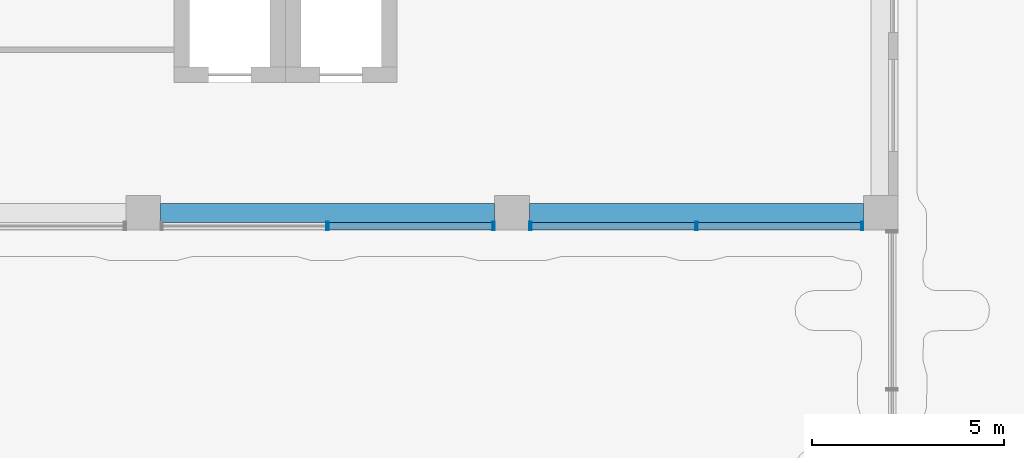
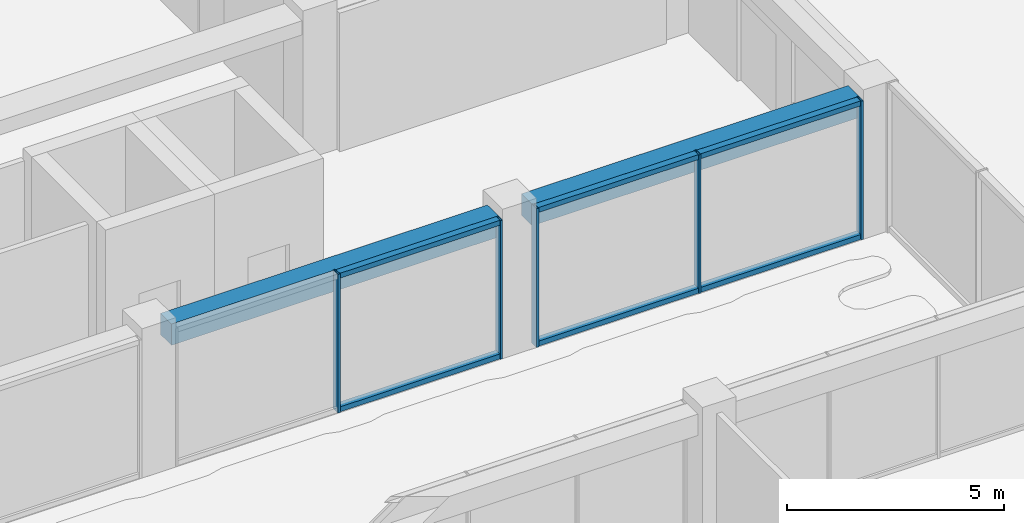
# One storey, part 18 of 72: 11 members, 2 beams, 2 elements without a shape of their own.
"""IFC4 building model written with IfcOpenShell, lengths in metres."""

import ifcopenshell
import ifcopenshell.guid

model = None  # the IFC model being written
_history = None  # IfcOwnerHistory: only IFC2X3 demands one
_inside = {}  # id of a spatial element -> (the spatial element, [elements in it])
_under = {}  # id of a project, library or spatial element -> (it, [spatial elements below it])
_declared = {}  # id of a project -> (the project, [libraries it declares])
_typed = {}  # id of a type object -> (the type object, [elements of that type])
_made_of = {}  # id of a material, layer set ... -> (it, [elements and type objects made of it])


def new_model(schema):
    """Start an empty IFC model of exactly this schema.

    Asked for "IFC4X3", IfcOpenShell would pick the latest addendum, in which some entities
    have other attributes; the version numbers below select the first issue.
    IFC2X3 requires an IfcOwnerHistory on every rooted entity: one is made here for all.
    """
    global model, _history
    if schema == "IFC4X3":
        model = ifcopenshell.file(schema_version=(4, 3, 0, 0))
    else:
        model = ifcopenshell.file(schema=schema)
    _inside.clear()
    _under.clear()
    _declared.clear()
    _typed.clear()
    _made_of.clear()
    _history = None
    if model.schema == "IFC2X3":
        org = make("IfcOrganization", Name="unknown")
        user = make(
            "IfcPersonAndOrganization",
            ThePerson=make("IfcPerson", FamilyName="unknown"),
            TheOrganization=org,
        )
        app = make(
            "IfcApplication",
            ApplicationDeveloper=org,
            Version="unknown",
            ApplicationFullName="unknown",
            ApplicationIdentifier="unknown",
        )
        _history = make(
            "IfcOwnerHistory",
            OwningUser=user,
            OwningApplication=app,
            ChangeAction="ADDED",
            CreationDate=0,
        )
    return model


def make(cls, **values):
    """One entity of the class cls with the attributes given. An attribute that is None is left unset."""
    return model.create_entity(
        cls, **{name: value for name, value in values.items() if value is not None}
    )


def rooted(cls, **values):
    """An entity with a GlobalId (a new one), such as an element, a storey or a relation."""
    return make(cls, GlobalId=ifcopenshell.guid.new(), OwnerHistory=_history, **values)


def si_unit(unit_type, name, prefix=None):
    """IfcSIUnit, for example si_unit("LENGTHUNIT", "METRE", prefix="MILLI")."""
    return make("IfcSIUnit", UnitType=unit_type, Prefix=prefix, Name=name)


def assignment(units):
    """IfcUnitAssignment: the units of a project."""
    return None if units is None else make("IfcUnitAssignment", Units=units)


def point(xyz):
    """IfcCartesianPoint."""
    return None if xyz is None else make("IfcCartesianPoint", Coordinates=xyz)


def direction(xyz):
    """IfcDirection."""
    return None if xyz is None else make("IfcDirection", DirectionRatios=xyz)


def frame(location, z_axis=None, x_axis=None):
    """IfcAxis2Placement3D, a coordinate frame: its origin and axes. An axis left out is left unset."""
    return make(
        "IfcAxis2Placement3D",
        Location=point(location),
        Axis=direction(z_axis),
        RefDirection=direction(x_axis),
    )


def frame_2d(location, x_axis=None):
    """IfcAxis2Placement2D, a coordinate frame in the plane: its origin and x axis."""
    return make(
        "IfcAxis2Placement2D", Location=point(location), RefDirection=direction(x_axis)
    )


def origin():
    """The frame at (0, 0, 0) with its axes left unset."""
    return frame((0.0, 0.0, 0.0))


def origin_2d():
    """The frame at (0, 0) in the plane with its x axis left unset."""
    return frame_2d((0.0, 0.0))


def place(relative_to, where):
    """IfcLocalPlacement: puts the frame where relative to a parent placement (None: the world)."""
    return make(
        "IfcLocalPlacement", PlacementRelTo=relative_to, RelativePlacement=where
    )


def context(
    kind, dimensions, precision=None, world=None, true_north=None, identifier=None
):
    """IfcGeometricRepresentationContext, for example the 3D "Model" context."""
    return make(
        "IfcGeometricRepresentationContext",
        ContextIdentifier=identifier,
        ContextType=kind,
        CoordinateSpaceDimension=dimensions,
        Precision=precision,
        WorldCoordinateSystem=world,
        TrueNorth=true_north,
    )


def subcontext(parent, identifier, kind, view, scale=None):
    """IfcGeometricRepresentationSubContext, for example "Body" below "Model"."""
    return make(
        "IfcGeometricRepresentationSubContext",
        ContextIdentifier=identifier,
        ContextType=kind,
        ParentContext=parent,
        TargetScale=scale,
        TargetView=view,
    )


def project(units=None, contexts=None):
    """IfcProject with its units and contexts."""
    return rooted(
        "IfcProject",
        Name="project",
        RepresentationContexts=contexts,
        UnitsInContext=assignment(units),
    )


def spatial(cls, under=None, at=None, **own):
    """A site, building, storey or space (cls), placed at a placement, below another one or the project."""
    s = rooted(cls, ObjectPlacement=at, **own)
    if under is not None:
        _under.setdefault(under.id(), (under, []))[1].append(s)
    return s


def profile(cls, at=None, kind="AREA", **sizes):
    """A parametric profile (cls). Its sizes go by their IFC names, for example OverallWidth=200.0."""
    return make(cls, ProfileType=kind, Position=at, **sizes)


def rectangle(**sizes):
    """IfcRectangleProfileDef."""
    return profile("IfcRectangleProfileDef", **sizes)


def hollow_rectangle(**sizes):
    """IfcRectangleHollowProfileDef."""
    return profile("IfcRectangleHollowProfileDef", **sizes)


def extrude(swept, where, along, depth):
    """IfcExtrudedAreaSolid: the profile swept, set in the frame where, extruded along a direction by depth."""
    return make(
        "IfcExtrudedAreaSolid",
        SweptArea=swept,
        Position=where,
        ExtrudedDirection=direction(along),
        Depth=depth,
    )


def shape(context_of_items, identifier, shape_type, items):
    """IfcShapeRepresentation: the items that make up one representation, for example the "Body"."""
    return make(
        "IfcShapeRepresentation",
        ContextOfItems=context_of_items,
        RepresentationIdentifier=identifier,
        RepresentationType=shape_type,
        Items=items,
    )


def material(Name=None, Category=None):
    """IfcMaterial."""
    return make("IfcMaterial", Name=Name, Category=Category)


def layer(
    of_material, thickness, ventilated=None, Name=None, Category=None, Priority=None
):
    """IfcMaterialLayer: one layer of a wall or slab, of a material (None: an air gap)."""
    return make(
        "IfcMaterialLayer",
        Material=of_material,
        LayerThickness=thickness,
        IsVentilated=ventilated,
        Name=Name,
        Category=Category,
        Priority=Priority,
    )


def layer_set(layers, Name=None):
    """IfcMaterialLayerSet."""
    return make("IfcMaterialLayerSet", MaterialLayers=layers, LayerSetName=Name)


def material_profile(
    of_material, cross_section, Name=None, Category=None, Priority=None
):
    """IfcMaterialProfile: a cross section and its material."""
    return make(
        "IfcMaterialProfile",
        Name=Name,
        Material=of_material,
        Profile=cross_section,
        Priority=Priority,
        Category=Category,
    )


def profile_set(profiles, Name=None, composite=None):
    """IfcMaterialProfileSet."""
    return make(
        "IfcMaterialProfileSet",
        Name=Name,
        MaterialProfiles=profiles,
        CompositeProfile=composite,
    )


def made_of(thing, what):
    """Note that an element or type object is made of a material, layer set ...; save() writes the relation."""
    if what is not None:
        _made_of.setdefault(what.id(), (what, []))[1].append(thing)
    return thing


def type_object(cls, material=None, **own):
    """A type object (cls), such as IfcWallType, which elements share."""
    return made_of(rooted(cls, **own), material)


def element(
    cls,
    number,
    at=None,
    inside=None,
    cuts=None,
    type_object=None,
    material=None,
    context=None,
    identifier="Body",
    shape_type=None,
    held_by="IfcProductDefinitionShape",
    body=None,
    shapes=None,
    **own,
):
    """One element of the class cls, such as IfcWall. Its Tag is "e" and its number.

    at: its placement. inside: the storey or other place that contains it. cuts: it is an
    opening in that element (IfcRelVoidsElement). A single representation is given by context,
    identifier, shape_type and body (its items); several are given by shapes. held_by: the class
    of the entity that holds the representations. save() writes the other relations.
    """
    e = rooted(cls, Tag="e%d" % number, ObjectPlacement=at, **own)
    if body is not None:
        shapes = [shape(context, identifier, shape_type, body)]
    if shapes is not None:
        e.Representation = make(held_by, Representations=shapes)
    if inside is not None:
        _inside.setdefault(inside.id(), (inside, []))[1].append(e)
    if cuts is not None:
        rooted(
            "IfcRelVoidsElement", RelatingBuildingElement=cuts, RelatedOpeningElement=e
        )
    if type_object is not None:
        _typed.setdefault(type_object.id(), (type_object, []))[1].append(e)
    return made_of(e, material)


def aggregate(whole, parts):
    """IfcRelAggregates: a whole, such as a stair, and the parts it consists of."""
    return rooted("IfcRelAggregates", RelatingObject=whole, RelatedObjects=parts)


def save(model, path):
    """Write the relations noted so far, then the file.

    IfcRelAggregates (storeys below a building ...), IfcRelContainedInSpatialStructure (elements
    in a storey), IfcRelDefinesByType, IfcRelAssociatesMaterial and IfcRelDeclares: one each for
    every whole, place, type object, material and project.
    """
    for whole, parts in _under.values():
        aggregate(whole, parts)
    for where, things in _inside.values():
        rooted(
            "IfcRelContainedInSpatialStructure",
            RelatedElements=things,
            RelatingStructure=where,
        )
    for kind, things in _typed.values():
        rooted("IfcRelDefinesByType", RelatedObjects=things, RelatingType=kind)
    for what, things in _made_of.values():
        rooted("IfcRelAssociatesMaterial", RelatedObjects=things, RelatingMaterial=what)
    for by, libraries in _declared.values():
        rooted("IfcRelDeclares", RelatingContext=by, RelatedDefinitions=libraries)
    model.write(path)


model = new_model("IFC4")

# Units and contexts
model_context = context("Model", 3, precision=1e-05, world=origin(), true_north=direction((0.0, 1.0)))
body_context = subcontext(model_context, "Body", "Model", "MODEL_VIEW")
ifc_project = project(units=[si_unit("LENGTHUNIT", "METRE"), si_unit("AREAUNIT", "SQUARE_METRE"), si_unit("VOLUMEUNIT", "CUBIC_METRE"), si_unit("PLANEANGLEUNIT", "RADIAN"), si_unit("MASSUNIT", "GRAM", prefix="KILO")], contexts=[model_context])

# Site, building, storey
site_placement = place(None, origin())
site = spatial("IfcSite", under=ifc_project, at=site_placement, CompositionType="ELEMENT")
building_placement = place(site_placement, origin())
building = spatial("IfcBuilding", under=site, at=building_placement, Name="Nzadi Deep Aquarium and Research Tower", CompositionType="ELEMENT")
storey_placement = place(building_placement, frame((0.0, 0.0, 31.89990234375)))
storey = spatial("IfcBuildingStorey", under=building, at=storey_placement, Name="L05", CompositionType="ELEMENT", Elevation=31.89990234375)

# Curtain wall, members
ifc_material_1 = material(Name="Aluminium unitised frame deep", Category="aluminium")
ifc_layer = layer(ifc_material_1, 0.22509765625)
ifc_layer_set = layer_set([ifc_layer], Name="Aluminium unitised frame deep")
curtain_wall_type = type_object("IfcCurtainWallType", Name="Curtain wall Unitised Deep 225", PredefinedType="NOTDEFINED", material=ifc_layer_set)
curtain_wall_1_placement = place(storey_placement, origin())
curtain_wall_1 = element("IfcCurtainWall", 1, at=curtain_wall_1_placement, inside=storey, type_object=curtain_wall_type, Name="Unitised curtain wall blade B south L05", PredefinedType="NOTDEFINED")
ifc_material_2 = material(Name="Aluminium unitised frame deep", Category="aluminium")
ifc_material_profile_1 = material_profile(ifc_material_2, hollow_rectangle(XDim=0.22509765625, YDim=0.06005859375, WallThickness=0.0048828125, at=origin_2d()))
ifc_profile_set_1 = profile_set([ifc_material_profile_1], Name="Aluminium unitised frame deep")
member_type_1 = type_object("IfcMemberType", Name="Mullion 60x225 Unitised Deep", PredefinedType="MULLION", material=ifc_profile_set_1)
member_1_placement = place(storey_placement, frame((33.60009765625, 27.262451171875, 0.0), z_axis=(0.0, 0.0, 1.0), x_axis=(0.0, 1.0, 0.0)))
member_1 = element("IfcMember", 2, at=member_1_placement, type_object=member_type_1, Name="CW081 mullion 2", PredefinedType="MULLION", context=body_context, shape_type="SweptSolid", body=[
    extrude(hollow_rectangle(XDim=0.22509765625, YDim=0.06005859375, WallThickness=0.0048828125, at=origin_2d()), origin(), (0.0, 0.0, 1.0), 3.900146484375),
])
member_2_placement = place(storey_placement, frame((37.919921875, 27.262451171875, 0.0), z_axis=(0.0, 0.0, 1.0), x_axis=(0.0, 1.0, 0.0)))
member_2 = element("IfcMember", 3, at=member_2_placement, type_object=member_type_1, Name="CW081 mullion 3", PredefinedType="MULLION", context=body_context, shape_type="SweptSolid", body=[
    extrude(hollow_rectangle(XDim=0.22509765625, YDim=0.06005859375, WallThickness=0.0048828125, at=origin_2d()), origin(), (0.0, 0.0, 1.0), 3.900146484375),
])

curtain_wall_2_placement = place(storey_placement, origin())
curtain_wall_2 = element("IfcCurtainWall", 4, at=curtain_wall_2_placement, inside=storey, type_object=curtain_wall_type, Name="Unitised curtain wall blade B south L05", PredefinedType="NOTDEFINED")
member_3_placement = place(storey_placement, frame((38.8798828125, 27.262451171875, 0.0), z_axis=(0.0, 0.0, 1.0), x_axis=(0.0, 1.0, 0.0)))
member_3 = element("IfcMember", 5, at=member_3_placement, type_object=member_type_1, Name="CW082 mullion 1", PredefinedType="MULLION", context=body_context, shape_type="SweptSolid", body=[
    extrude(hollow_rectangle(XDim=0.22509765625, YDim=0.06005859375, WallThickness=0.0048828125, at=origin_2d()), origin(), (0.0, 0.0, 1.0), 3.900146484375),
])
member_4_placement = place(storey_placement, frame((43.199951171875, 27.262451171875, 0.0), z_axis=(0.0, 0.0, 1.0), x_axis=(0.0, 1.0, 0.0)))
member_4 = element("IfcMember", 6, at=member_4_placement, type_object=member_type_1, Name="CW082 mullion 2", PredefinedType="MULLION", context=body_context, shape_type="SweptSolid", body=[
    extrude(hollow_rectangle(XDim=0.22509765625, YDim=0.06005859375, WallThickness=0.0048828125, at=origin_2d()), origin(), (0.0, 0.0, 1.0), 3.900146484375),
])
member_5_placement = place(storey_placement, frame((47.52001953125, 27.262451171875, 0.0), z_axis=(0.0, 0.0, 1.0), x_axis=(0.0, 1.0, 0.0)))
member_5 = element("IfcMember", 7, at=member_5_placement, type_object=member_type_1, Name="CW082 mullion 3", PredefinedType="MULLION", context=body_context, shape_type="SweptSolid", body=[
    extrude(hollow_rectangle(XDim=0.22509765625, YDim=0.06005859375, WallThickness=0.0048828125, at=origin_2d()), origin(), (0.0, 0.0, 1.0), 3.900146484375),
])

# Beams
ifc_material_3 = material(Name="Concrete C35/45", Category="concrete")
ifc_material_profile_2 = material_profile(ifc_material_3, rectangle(XDim=0.5, YDim=0.60009765625, at=origin_2d()))
ifc_profile_set_2 = profile_set([ifc_material_profile_2], Name="Concrete C35/45")
beam_type = type_object("IfcBeamType", Name="RC 500x600", PredefinedType="BEAM", material=ifc_profile_set_2)
for number, where, z_axis, x_axis, name in (
    (8, (29.25, 27.60009765625, 3.60009765625), (1.0, 0.0, 0.0), (0.0, 1.0, 0.0), "B-Z1-L05-L4-4"),
    (9, (38.85009765625, 27.60009765625, 3.60009765625), (1.0, 0.0, 0.0), (0.0, 1.0, 0.0), "B-Z1-L05-L4-5"),
):
    element("IfcBeam", number, at=place(storey_placement, frame(where, z_axis=z_axis, x_axis=x_axis)), inside=storey, type_object=beam_type, Name=name, PredefinedType="BEAM", context=body_context, shape_type="SweptSolid", body=[
        extrude(rectangle(XDim=0.5, YDim=0.60009765625, at=origin_2d()), origin(), (0.0, 0.0, 1.0), 8.699951171875),
    ])

# Member
ifc_material_4 = material(Name="Aluminium unitised frame deep", Category="aluminium")
ifc_material_profile_3 = material_profile(ifc_material_4, hollow_rectangle(XDim=0.179931640625, YDim=0.139892578125, WallThickness=0.0048828125, at=origin_2d()))
ifc_profile_set_3 = profile_set([ifc_material_profile_3], Name="Aluminium unitised frame deep")
member_type_2 = type_object("IfcMemberType", Name="Transom 140x180 Unitised Deep", PredefinedType="MULLION", material=ifc_profile_set_3)
member_6_placement = place(storey_placement, frame((33.6298828125, 27.262451171875, 0.070068359375), z_axis=(1.0, 0.0, 0.0), x_axis=(0.0, 1.0, 0.0)))
member_6 = element("IfcMember", 10, at=member_6_placement, type_object=member_type_2, Name="CW081 transom 2.1", PredefinedType="MULLION", context=body_context, shape_type="SweptSolid", body=[
    extrude(hollow_rectangle(XDim=0.179931640625, YDim=0.139892578125, WallThickness=0.0048828125, at=origin_2d()), origin(), (0.0, 0.0, 1.0), 4.260009765625),
])

member_7_placement = place(storey_placement, frame((33.6298828125, 27.262451171875, 3.830078125), z_axis=(1.0, 0.0, 0.0), x_axis=(0.0, 1.0, 0.0)))
member_7 = element("IfcMember", 11, at=member_7_placement, type_object=member_type_2, Name="CW081 transom 2.2", PredefinedType="MULLION", context=body_context, shape_type="SweptSolid", body=[
    extrude(hollow_rectangle(XDim=0.179931640625, YDim=0.139892578125, WallThickness=0.0048828125, at=origin_2d()), origin(), (0.0, 0.0, 1.0), 4.260009765625),
])

aggregate(curtain_wall_1, [member_1, member_2, member_6, member_7])

member_8_placement = place(storey_placement, frame((38.909912109375, 27.262451171875, 0.070068359375), z_axis=(1.0, 0.0, 0.0), x_axis=(0.0, 1.0, 0.0)))
member_8 = element("IfcMember", 12, at=member_8_placement, type_object=member_type_2, Name="CW082 transom 1.1", PredefinedType="MULLION", context=body_context, shape_type="SweptSolid", body=[
    extrude(hollow_rectangle(XDim=0.179931640625, YDim=0.139892578125, WallThickness=0.0048828125, at=origin_2d()), origin(), (0.0, 0.0, 1.0), 4.260009765625),
])

member_9_placement = place(storey_placement, frame((38.909912109375, 27.262451171875, 3.830078125), z_axis=(1.0, 0.0, 0.0), x_axis=(0.0, 1.0, 0.0)))
member_9 = element("IfcMember", 13, at=member_9_placement, type_object=member_type_2, Name="CW082 transom 1.2", PredefinedType="MULLION", context=body_context, shape_type="SweptSolid", body=[
    extrude(hollow_rectangle(XDim=0.179931640625, YDim=0.139892578125, WallThickness=0.0048828125, at=origin_2d()), origin(), (0.0, 0.0, 1.0), 4.260009765625),
])

member_10_placement = place(storey_placement, frame((43.22998046875, 27.262451171875, 0.070068359375), z_axis=(1.0, 0.0, 0.0), x_axis=(0.0, 1.0, 0.0)))
member_10 = element("IfcMember", 14, at=member_10_placement, type_object=member_type_2, Name="CW082 transom 2.1", PredefinedType="MULLION", context=body_context, shape_type="SweptSolid", body=[
    extrude(hollow_rectangle(XDim=0.179931640625, YDim=0.139892578125, WallThickness=0.0048828125, at=origin_2d()), origin(), (0.0, 0.0, 1.0), 4.260009765625),
])

member_11_placement = place(storey_placement, frame((43.22998046875, 27.262451171875, 3.830078125), z_axis=(1.0, 0.0, 0.0), x_axis=(0.0, 1.0, 0.0)))
member_11 = element("IfcMember", 15, at=member_11_placement, type_object=member_type_2, Name="CW082 transom 2.2", PredefinedType="MULLION", context=body_context, shape_type="SweptSolid", body=[
    extrude(hollow_rectangle(XDim=0.179931640625, YDim=0.139892578125, WallThickness=0.0048828125, at=origin_2d()), origin(), (0.0, 0.0, 1.0), 4.260009765625),
])

aggregate(curtain_wall_2, [member_3, member_4, member_5, member_8, member_9, member_10, member_11])

save(model, "model.ifc")
